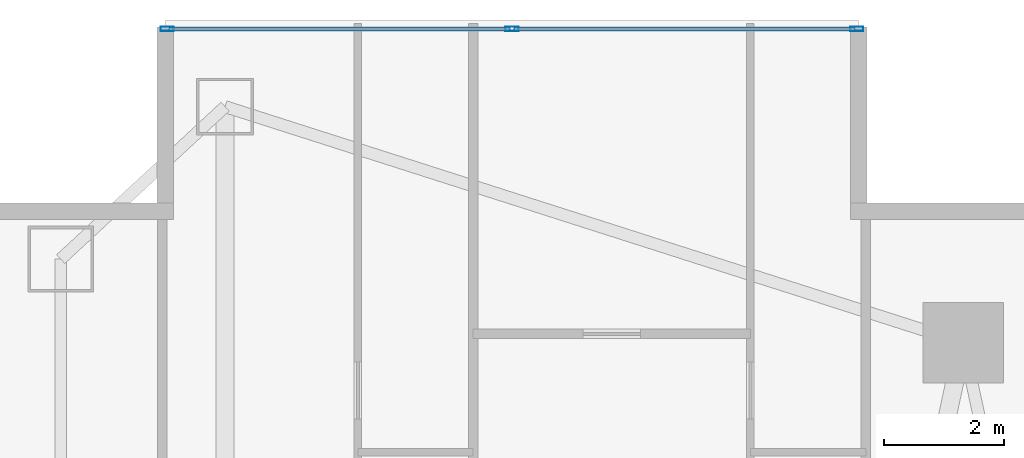
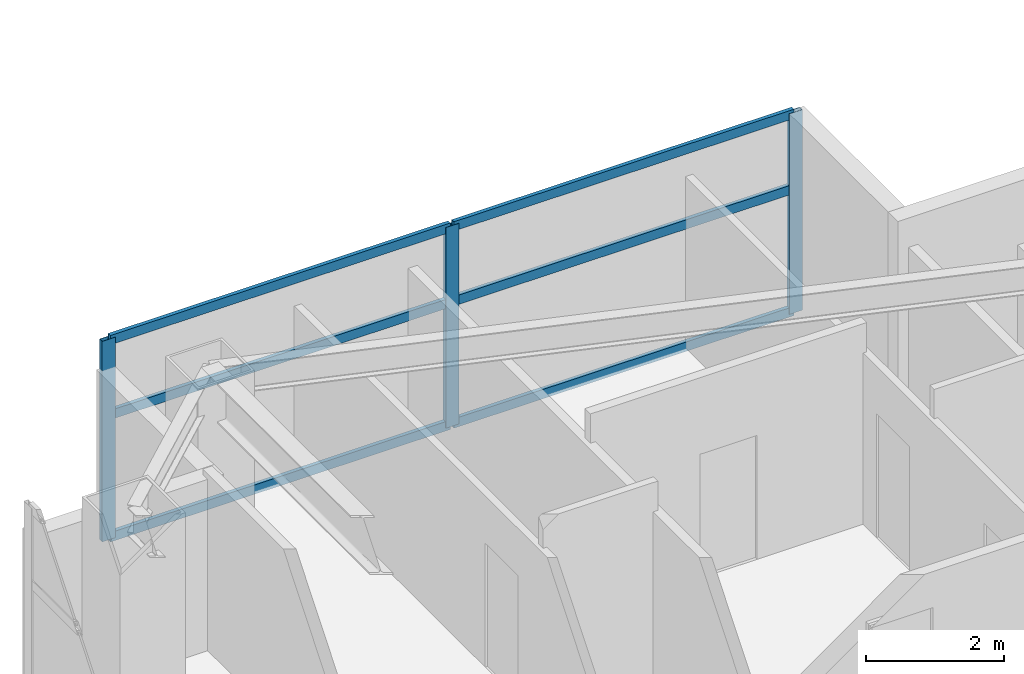
# One storey, part 19 of 29: 9 members, 1 element without a shape of its own.
"""IFC4 building model written with IfcOpenShell, lengths in metres."""

from ifc_helpers import new_model, si_unit, direction, frame, origin, origin_2d, place, context, subcontext, project, spatial, hollow_rectangle, extrude, material, layer, layer_set, material_profile, profile_set, type_object, element, aggregate, save


model = new_model("IFC4")

# Units and contexts
model_context = context("Model", 3, precision=1e-05, world=origin(), true_north=direction((0.0, 1.0)))
body_context = subcontext(model_context, "Body", "Model", "MODEL_VIEW")
ifc_project = project(units=[si_unit("LENGTHUNIT", "METRE"), si_unit("AREAUNIT", "SQUARE_METRE"), si_unit("VOLUMEUNIT", "CUBIC_METRE"), si_unit("PLANEANGLEUNIT", "RADIAN"), si_unit("MASSUNIT", "GRAM", prefix="KILO")], contexts=[model_context])

# Site, building, storey
site_placement = place(None, origin())
site = spatial("IfcSite", under=ifc_project, at=site_placement, CompositionType="ELEMENT")
building_placement = place(site_placement, origin())
building = spatial("IfcBuilding", under=site, at=building_placement, Name="Calvorn Quay Hotel", CompositionType="ELEMENT")
storey_placement = place(building_placement, frame((0.0, 0.0, 38.39990234375)))
storey = spatial("IfcBuildingStorey", under=building, at=storey_placement, Name="L08", CompositionType="ELEMENT", Elevation=38.39990234375)

# Curtain wall, members
ifc_material_1 = material(Name="Pale Anodised Aluminium and Low-E Glass", Category="aluminium")
ifc_layer = layer(ifc_material_1, 0.219970703125)
ifc_layer_set = layer_set([ifc_layer], Name="CW-SYS-Z1")
curtain_wall_type = type_object("IfcCurtainWallType", Name="CW-SYS-Z1", PredefinedType="NOTDEFINED", material=ifc_layer_set)
curtain_wall_placement = place(storey_placement, origin())
curtain_wall = element("IfcCurtainWall", 1, at=curtain_wall_placement, inside=storey, type_object=curtain_wall_type, Name="Inner Court Curtain Wall L08-N1", PredefinedType="NOTDEFINED")
ifc_material_2 = material(Name="Pale Anodised Aluminium 6063-T6", Category="aluminium")
ifc_material_profile_1 = material_profile(ifc_material_2, hollow_rectangle(XDim=0.074951171875, YDim=0.219970703125, WallThickness=0.00439453125, at=origin_2d()), Name="ALU-M220x75x4.5")
ifc_profile_set_1 = profile_set([ifc_material_profile_1], Name="Pale Anodised Aluminium 6063-T6")
member_type_1 = type_object("IfcMemberType", Name="CW-SYS-Z1-MUL", PredefinedType="MULLION", material=ifc_profile_set_1)
member_1_placement = place(storey_placement, frame((14.77001953125, 50.85009765625, 0.0), z_axis=(0.0, 0.0, 1.0), x_axis=(0.0, -1.0, 0.0)))
member_1 = element("IfcMember", 2, at=member_1_placement, type_object=member_type_1, Name="CW-L08-N1 mullion 1", PredefinedType="MULLION", context=body_context, shape_type="SweptSolid", body=[
    extrude(hollow_rectangle(XDim=0.074951171875, YDim=0.219970703125, WallThickness=0.00439453125, at=origin_2d()), origin(), (0.0, 0.0, 1.0), 3.56005859375),
])
member_2_placement = place(storey_placement, frame((9.0, 50.85009765625, 0.0), z_axis=(0.0, 0.0, 1.0), x_axis=(0.0, -1.0, 0.0)))
member_2 = element("IfcMember", 3, at=member_2_placement, type_object=member_type_1, Name="CW-L08-N1 mullion 2", PredefinedType="MULLION", context=body_context, shape_type="SweptSolid", body=[
    extrude(hollow_rectangle(XDim=0.074951171875, YDim=0.219970703125, WallThickness=0.00439453125, at=origin_2d()), origin(), (0.0, 0.0, 1.0), 3.56005859375),
])
member_3_placement = place(storey_placement, frame((3.22998046875, 50.85009765625, 0.0), z_axis=(0.0, 0.0, 1.0), x_axis=(0.0, -1.0, 0.0)))
member_3 = element("IfcMember", 4, at=member_3_placement, type_object=member_type_1, Name="CW-L08-N1 mullion 3", PredefinedType="MULLION", context=body_context, shape_type="SweptSolid", body=[
    extrude(hollow_rectangle(XDim=0.074951171875, YDim=0.219970703125, WallThickness=0.00439453125, at=origin_2d()), origin(), (0.0, 0.0, 1.0), 3.56005859375),
])
ifc_material_3 = material(Name="Pale Anodised Aluminium 6063-T6", Category="aluminium")
ifc_material_profile_2 = material_profile(ifc_material_3, hollow_rectangle(XDim=0.06494140625, YDim=0.1650390625, WallThickness=0.00341796875, at=origin_2d()), Name="ALU-T165x65x3.5")
ifc_profile_set_2 = profile_set([ifc_material_profile_2], Name="Pale Anodised Aluminium 6063-T6")
member_type_2 = type_object("IfcMemberType", Name="CW-SYS-Z1-TRN", PredefinedType="USERDEFINED", material=ifc_profile_set_2)
member_4_placement = place(storey_placement, frame((14.739990234375, 50.85009765625, 0.030029296875), z_axis=(-1.0, 0.0, 0.0), x_axis=(0.0, -1.0, 0.0)))
member_4 = element("IfcMember", 5, at=member_4_placement, type_object=member_type_2, Name="CW-L08-N1 transom 1.1", ObjectType="TRANSOM", PredefinedType="USERDEFINED", context=body_context, shape_type="SweptSolid", body=[
    extrude(hollow_rectangle(XDim=0.06494140625, YDim=0.1650390625, WallThickness=0.00341796875, at=origin_2d()), origin(), (0.0, 0.0, 1.0), 5.7099609375),
])
member_5_placement = place(storey_placement, frame((14.739990234375, 50.85009765625, 2.2001953125), z_axis=(-1.0, 0.0, 0.0), x_axis=(0.0, -1.0, 0.0)))
member_5 = element("IfcMember", 6, at=member_5_placement, type_object=member_type_2, Name="CW-L08-N1 transom 1.2", ObjectType="TRANSOM", PredefinedType="USERDEFINED", context=body_context, shape_type="SweptSolid", body=[
    extrude(hollow_rectangle(XDim=0.06494140625, YDim=0.1650390625, WallThickness=0.00341796875, at=origin_2d()), origin(), (0.0, 0.0, 1.0), 5.7099609375),
])
member_6_placement = place(storey_placement, frame((14.739990234375, 50.85009765625, 3.530029296875), z_axis=(-1.0, 0.0, 0.0), x_axis=(0.0, -1.0, 0.0)))
member_6 = element("IfcMember", 7, at=member_6_placement, type_object=member_type_2, Name="CW-L08-N1 transom 1.3", ObjectType="TRANSOM", PredefinedType="USERDEFINED", context=body_context, shape_type="SweptSolid", body=[
    extrude(hollow_rectangle(XDim=0.06494140625, YDim=0.1650390625, WallThickness=0.00341796875, at=origin_2d()), origin(), (0.0, 0.0, 1.0), 5.7099609375),
])
member_7_placement = place(storey_placement, frame((8.969970703125, 50.85009765625, 0.030029296875), z_axis=(-1.0, 0.0, 0.0), x_axis=(0.0, -1.0, 0.0)))
member_7 = element("IfcMember", 8, at=member_7_placement, type_object=member_type_2, Name="CW-L08-N1 transom 2.1", ObjectType="TRANSOM", PredefinedType="USERDEFINED", context=body_context, shape_type="SweptSolid", body=[
    extrude(hollow_rectangle(XDim=0.06494140625, YDim=0.1650390625, WallThickness=0.00341796875, at=origin_2d()), origin(), (0.0, 0.0, 1.0), 5.7099609375),
])
member_8_placement = place(storey_placement, frame((8.969970703125, 50.85009765625, 2.2001953125), z_axis=(-1.0, 0.0, 0.0), x_axis=(0.0, -1.0, 0.0)))
member_8 = element("IfcMember", 9, at=member_8_placement, type_object=member_type_2, Name="CW-L08-N1 transom 2.2", ObjectType="TRANSOM", PredefinedType="USERDEFINED", context=body_context, shape_type="SweptSolid", body=[
    extrude(hollow_rectangle(XDim=0.06494140625, YDim=0.1650390625, WallThickness=0.00341796875, at=origin_2d()), origin(), (0.0, 0.0, 1.0), 5.7099609375),
])
member_9_placement = place(storey_placement, frame((8.969970703125, 50.85009765625, 3.530029296875), z_axis=(-1.0, 0.0, 0.0), x_axis=(0.0, -1.0, 0.0)))
member_9 = element("IfcMember", 10, at=member_9_placement, type_object=member_type_2, Name="CW-L08-N1 transom 2.3", ObjectType="TRANSOM", PredefinedType="USERDEFINED", context=body_context, shape_type="SweptSolid", body=[
    extrude(hollow_rectangle(XDim=0.06494140625, YDim=0.1650390625, WallThickness=0.00341796875, at=origin_2d()), origin(), (0.0, 0.0, 1.0), 5.7099609375),
])
aggregate(curtain_wall, [member_1, member_2, member_3, member_4, member_5, member_6, member_7, member_8, member_9])

save(model, "model.ifc")
